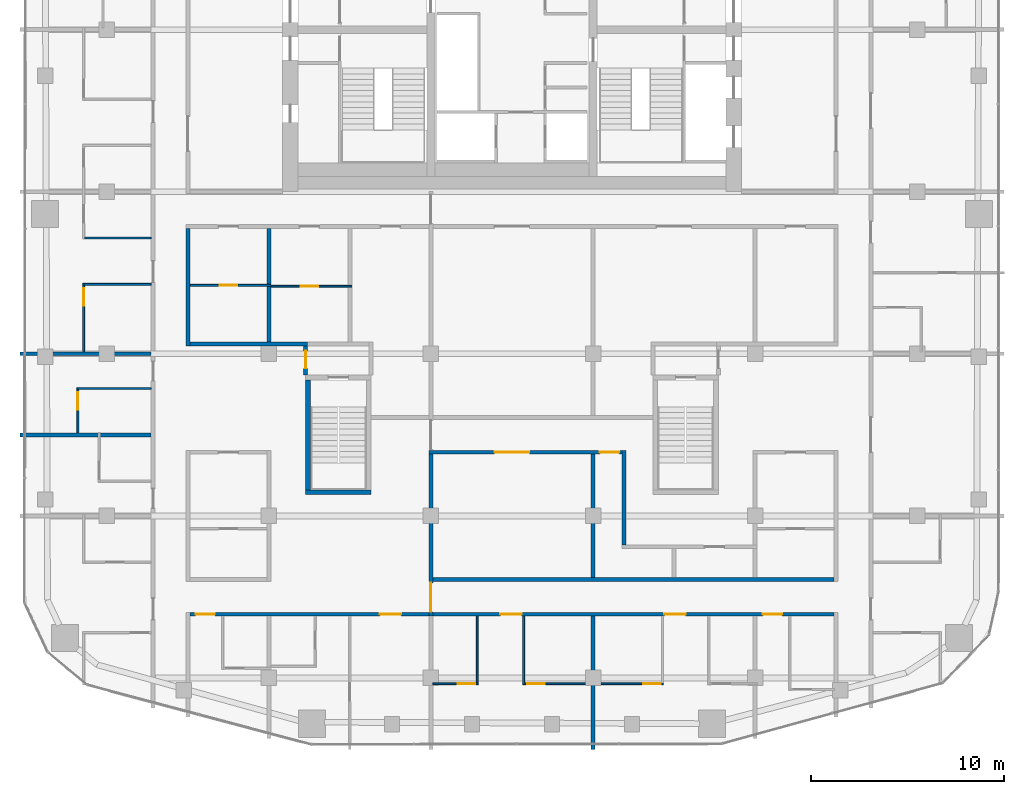
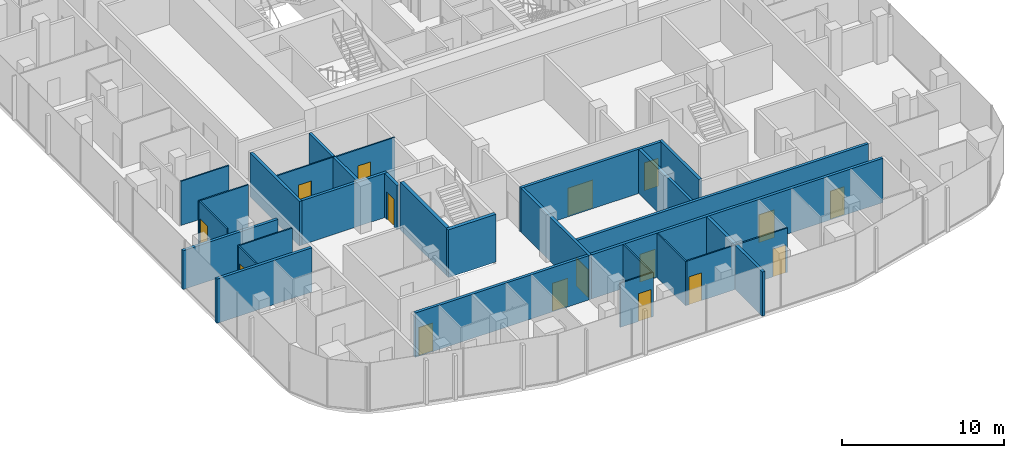
# One storey, part 14 of 21: 26 walls, 16 doors, 16 openings.
"""IFC4 building model written with IfcOpenShell, lengths in metres."""

import ifcopenshell
import ifcopenshell.guid

model = None  # the IFC model being written
_history = None  # IfcOwnerHistory: only IFC2X3 demands one
_inside = {}  # id of a spatial element -> (the spatial element, [elements in it])
_under = {}  # id of a project, library or spatial element -> (it, [spatial elements below it])
_declared = {}  # id of a project -> (the project, [libraries it declares])
_typed = {}  # id of a type object -> (the type object, [elements of that type])
_made_of = {}  # id of a material, layer set ... -> (it, [elements and type objects made of it])


def new_model(schema):
    """Start an empty IFC model of exactly this schema.

    Asked for "IFC4X3", IfcOpenShell would pick the latest addendum, in which some entities
    have other attributes; the version numbers below select the first issue.
    IFC2X3 requires an IfcOwnerHistory on every rooted entity: one is made here for all.
    """
    global model, _history
    if schema == "IFC4X3":
        model = ifcopenshell.file(schema_version=(4, 3, 0, 0))
    else:
        model = ifcopenshell.file(schema=schema)
    _inside.clear()
    _under.clear()
    _declared.clear()
    _typed.clear()
    _made_of.clear()
    _history = None
    if model.schema == "IFC2X3":
        org = make("IfcOrganization", Name="unknown")
        user = make(
            "IfcPersonAndOrganization",
            ThePerson=make("IfcPerson", FamilyName="unknown"),
            TheOrganization=org,
        )
        app = make(
            "IfcApplication",
            ApplicationDeveloper=org,
            Version="unknown",
            ApplicationFullName="unknown",
            ApplicationIdentifier="unknown",
        )
        _history = make(
            "IfcOwnerHistory",
            OwningUser=user,
            OwningApplication=app,
            ChangeAction="ADDED",
            CreationDate=0,
        )
    return model


def make(cls, **values):
    """One entity of the class cls with the attributes given. An attribute that is None is left unset."""
    return model.create_entity(
        cls, **{name: value for name, value in values.items() if value is not None}
    )


def rooted(cls, **values):
    """An entity with a GlobalId (a new one), such as an element, a storey or a relation."""
    return make(cls, GlobalId=ifcopenshell.guid.new(), OwnerHistory=_history, **values)


def si_unit(unit_type, name, prefix=None):
    """IfcSIUnit, for example si_unit("LENGTHUNIT", "METRE", prefix="MILLI")."""
    return make("IfcSIUnit", UnitType=unit_type, Prefix=prefix, Name=name)


def assignment(units):
    """IfcUnitAssignment: the units of a project."""
    return None if units is None else make("IfcUnitAssignment", Units=units)


def point(xyz):
    """IfcCartesianPoint."""
    return None if xyz is None else make("IfcCartesianPoint", Coordinates=xyz)


def direction(xyz):
    """IfcDirection."""
    return None if xyz is None else make("IfcDirection", DirectionRatios=xyz)


def frame(location, z_axis=None, x_axis=None):
    """IfcAxis2Placement3D, a coordinate frame: its origin and axes. An axis left out is left unset."""
    return make(
        "IfcAxis2Placement3D",
        Location=point(location),
        Axis=direction(z_axis),
        RefDirection=direction(x_axis),
    )


def frame_2d(location, x_axis=None):
    """IfcAxis2Placement2D, a coordinate frame in the plane: its origin and x axis."""
    return make(
        "IfcAxis2Placement2D", Location=point(location), RefDirection=direction(x_axis)
    )


def origin():
    """The frame at (0, 0, 0) with its axes left unset."""
    return frame((0.0, 0.0, 0.0))


def place(relative_to, where):
    """IfcLocalPlacement: puts the frame where relative to a parent placement (None: the world)."""
    return make(
        "IfcLocalPlacement", PlacementRelTo=relative_to, RelativePlacement=where
    )


def context(
    kind, dimensions, precision=None, world=None, true_north=None, identifier=None
):
    """IfcGeometricRepresentationContext, for example the 3D "Model" context."""
    return make(
        "IfcGeometricRepresentationContext",
        ContextIdentifier=identifier,
        ContextType=kind,
        CoordinateSpaceDimension=dimensions,
        Precision=precision,
        WorldCoordinateSystem=world,
        TrueNorth=true_north,
    )


def subcontext(parent, identifier, kind, view, scale=None):
    """IfcGeometricRepresentationSubContext, for example "Body" below "Model"."""
    return make(
        "IfcGeometricRepresentationSubContext",
        ContextIdentifier=identifier,
        ContextType=kind,
        ParentContext=parent,
        TargetScale=scale,
        TargetView=view,
    )


def project(units=None, contexts=None):
    """IfcProject with its units and contexts."""
    return rooted(
        "IfcProject",
        Name="project",
        RepresentationContexts=contexts,
        UnitsInContext=assignment(units),
    )


def spatial(cls, under=None, at=None, **own):
    """A site, building, storey or space (cls), placed at a placement, below another one or the project."""
    s = rooted(cls, ObjectPlacement=at, **own)
    if under is not None:
        _under.setdefault(under.id(), (under, []))[1].append(s)
    return s


def profile(cls, at=None, kind="AREA", **sizes):
    """A parametric profile (cls). Its sizes go by their IFC names, for example OverallWidth=200.0."""
    return make(cls, ProfileType=kind, Position=at, **sizes)


def rectangle(**sizes):
    """IfcRectangleProfileDef."""
    return profile("IfcRectangleProfileDef", **sizes)


def extrude(swept, where, along, depth):
    """IfcExtrudedAreaSolid: the profile swept, set in the frame where, extruded along a direction by depth."""
    return make(
        "IfcExtrudedAreaSolid",
        SweptArea=swept,
        Position=where,
        ExtrudedDirection=direction(along),
        Depth=depth,
    )


def shape(context_of_items, identifier, shape_type, items):
    """IfcShapeRepresentation: the items that make up one representation, for example the "Body"."""
    return make(
        "IfcShapeRepresentation",
        ContextOfItems=context_of_items,
        RepresentationIdentifier=identifier,
        RepresentationType=shape_type,
        Items=items,
    )


def material(Name=None, Category=None):
    """IfcMaterial."""
    return make("IfcMaterial", Name=Name, Category=Category)


def layer(
    of_material, thickness, ventilated=None, Name=None, Category=None, Priority=None
):
    """IfcMaterialLayer: one layer of a wall or slab, of a material (None: an air gap)."""
    return make(
        "IfcMaterialLayer",
        Material=of_material,
        LayerThickness=thickness,
        IsVentilated=ventilated,
        Name=Name,
        Category=Category,
        Priority=Priority,
    )


def layer_set(layers, Name=None):
    """IfcMaterialLayerSet."""
    return make("IfcMaterialLayerSet", MaterialLayers=layers, LayerSetName=Name)


def made_of(thing, what):
    """Note that an element or type object is made of a material, layer set ...; save() writes the relation."""
    if what is not None:
        _made_of.setdefault(what.id(), (what, []))[1].append(thing)
    return thing


def type_object(cls, material=None, **own):
    """A type object (cls), such as IfcWallType, which elements share."""
    return made_of(rooted(cls, **own), material)


def element(
    cls,
    number,
    at=None,
    inside=None,
    cuts=None,
    type_object=None,
    material=None,
    context=None,
    identifier="Body",
    shape_type=None,
    held_by="IfcProductDefinitionShape",
    body=None,
    shapes=None,
    **own,
):
    """One element of the class cls, such as IfcWall. Its Tag is "e" and its number.

    at: its placement. inside: the storey or other place that contains it. cuts: it is an
    opening in that element (IfcRelVoidsElement). A single representation is given by context,
    identifier, shape_type and body (its items); several are given by shapes. held_by: the class
    of the entity that holds the representations. save() writes the other relations.
    """
    e = rooted(cls, Tag="e%d" % number, ObjectPlacement=at, **own)
    if body is not None:
        shapes = [shape(context, identifier, shape_type, body)]
    if shapes is not None:
        e.Representation = make(held_by, Representations=shapes)
    if inside is not None:
        _inside.setdefault(inside.id(), (inside, []))[1].append(e)
    if cuts is not None:
        rooted(
            "IfcRelVoidsElement", RelatingBuildingElement=cuts, RelatedOpeningElement=e
        )
    if type_object is not None:
        _typed.setdefault(type_object.id(), (type_object, []))[1].append(e)
    return made_of(e, material)


def fill(opening, filler):
    """IfcRelFillsElement: the door or window that sits in an opening."""
    return rooted(
        "IfcRelFillsElement",
        RelatingOpeningElement=opening,
        RelatedBuildingElement=filler,
    )


def aggregate(whole, parts):
    """IfcRelAggregates: a whole, such as a stair, and the parts it consists of."""
    return rooted("IfcRelAggregates", RelatingObject=whole, RelatedObjects=parts)


def save(model, path):
    """Write the relations noted so far, then the file.

    IfcRelAggregates (storeys below a building ...), IfcRelContainedInSpatialStructure (elements
    in a storey), IfcRelDefinesByType, IfcRelAssociatesMaterial and IfcRelDeclares: one each for
    every whole, place, type object, material and project.
    """
    for whole, parts in _under.values():
        aggregate(whole, parts)
    for where, things in _inside.values():
        rooted(
            "IfcRelContainedInSpatialStructure",
            RelatedElements=things,
            RelatingStructure=where,
        )
    for kind, things in _typed.values():
        rooted("IfcRelDefinesByType", RelatedObjects=things, RelatingType=kind)
    for what, things in _made_of.values():
        rooted("IfcRelAssociatesMaterial", RelatedObjects=things, RelatingMaterial=what)
    for by, libraries in _declared.values():
        rooted("IfcRelDeclares", RelatingContext=by, RelatedDefinitions=libraries)
    model.write(path)


model = new_model("IFC4")

# Units and contexts
model_context = context("Model", 3, precision=1e-05, world=origin(), true_north=direction((0.0, 1.0)))
body_context = subcontext(model_context, "Body", "Model", "MODEL_VIEW")
ifc_project = project(units=[si_unit("LENGTHUNIT", "METRE"), si_unit("AREAUNIT", "SQUARE_METRE"), si_unit("VOLUMEUNIT", "CUBIC_METRE"), si_unit("PLANEANGLEUNIT", "RADIAN"), si_unit("MASSUNIT", "GRAM", prefix="KILO")], contexts=[model_context])

# Site, building, storey
site_placement = place(None, origin())
site = spatial("IfcSite", under=ifc_project, at=site_placement, CompositionType="ELEMENT")
building_placement = place(site_placement, origin())
building = spatial("IfcBuilding", under=site, at=building_placement, Name="Marenta Gate Hotel Tower", CompositionType="ELEMENT")
storey_placement = place(building_placement, frame((0.0, 0.0, 202.10009765625)))
storey = spatial("IfcBuildingStorey", under=building, at=storey_placement, Name="L46", CompositionType="ELEMENT", Elevation=202.10009765625)

# Wall, opening, door
ifc_material_1 = material(Name="Concrete blockwork", Category="masonry")
ifc_layer_1 = layer(ifc_material_1, 0.199951171875)
ifc_layer_set_1 = layer_set([ifc_layer_1], Name="Concrete blockwork")
wall_type_1 = type_object("IfcWallType", Name="Compartment wall 200 REI 180", PredefinedType="PARTITIONING", material=ifc_layer_set_1)
wall_1_placement = place(storey_placement, frame((-4.199951171875, -22.0, 0.0), z_axis=(0.0, 0.0, 1.0), x_axis=(0.0, 1.0, 0.0)))
wall_1 = element("IfcWall", 1, at=wall_1_placement, inside=storey, type_object=wall_type_1, Name="L46-PTN-W073", PredefinedType="PARTITIONING", context=body_context, shape_type="SweptSolid", body=[
    extrude(rectangle(XDim=8.39990234375, YDim=0.199951171875, at=frame_2d((4.199951171875, 0.0))), origin(), (0.0, 0.0, 1.0), 3.33984375),
])
opening_1_placement = place(wall_1_placement, frame((0.22509765625, 0.0, 0.0)))
opening_1 = element("IfcOpeningElement", 2, at=opening_1_placement, cuts=wall_1, Name="Opening G16-FD4", PredefinedType="OPENING", context=body_context, shape_type="SweptSolid", body=[
    extrude(rectangle(XDim=1.5, YDim=2.10009765625, at=frame_2d((0.75, 1.050048828125))), frame((0.0, 0.10009765625, 0.0), z_axis=(0.0, -1.0, 0.0), x_axis=(1.0, 0.0, 0.0)), (0.0, 0.0, 1.0), 0.199951171875),
])
ifc_material_2 = material(Name="Hollow steel door set", Category="steel")
door_type_1 = type_object("IfcDoorType", Name="Compartment fire door 1500x2100 EI 60", OperationType="DOUBLE_DOOR_DOUBLE_SWING", PredefinedType="DOOR", material=ifc_material_2)
door_1_placement = place(opening_1_placement, origin())
door_1 = element("IfcDoor", 3, at=door_1_placement, inside=storey, type_object=door_type_1, Name="L46-PD-FD04", OperationType="DOUBLE_DOOR_DOUBLE_SWING", OverallHeight=2.10009765625, OverallWidth=1.5, PredefinedType="DOOR", context=body_context, shape_type="SweptSolid", body=[
    extrude(rectangle(XDim=1.5, YDim=2.10009765625, at=frame_2d((0.75, 1.050048828125))), frame((0.0, 0.02490234375, 0.0), z_axis=(0.0, -1.0, 0.0), x_axis=(1.0, 0.0, 0.0)), (0.0, 0.0, 1.0), 0.050048828125),
])
fill(opening_1, door_1)

# Walls
ifc_material_3 = material(Name="Concrete C40", Category="concrete")
ifc_layer_2 = layer(ifc_material_3, 0.25)
ifc_layer_set_2 = layer_set([ifc_layer_2], Name="Concrete C40")
wall_type_2 = type_object("IfcWallType", Name="Remote stair enclosure wall 250 REI 180", PredefinedType="SHEAR", material=ifc_layer_set_2)
wall_2_placement = place(storey_placement, frame((-10.699951171875, -15.574951171875, 0.099853515625), z_axis=(0.0, 0.0, 1.0), x_axis=(1.0, 0.0, 0.0)))
element("IfcWall", 4, at=wall_2_placement, inside=storey, type_object=wall_type_2, Name="L46-RS-Z3-1-W1", PredefinedType="SHEAR", context=body_context, shape_type="SweptSolid", body=[
    extrude(rectangle(XDim=3.39990234375, YDim=0.25, at=frame_2d((1.699951171875, 0.0))), origin(), (0.0, 0.0, 1.0), 3.60009765625),
])
wall_3_placement = place(storey_placement, frame((-10.574951171875, -15.449951171875, 0.099853515625), z_axis=(0.0, 0.0, 1.0), x_axis=(0.0, 1.0, 0.0)))
element("IfcWall", 5, at=wall_3_placement, inside=storey, type_object=wall_type_2, Name="L46-RS-Z3-1-W3", PredefinedType="SHEAR", context=body_context, shape_type="SweptSolid", body=[
    extrude(rectangle(XDim=5.699951171875, YDim=0.25, at=frame_2d((2.85009765625, 0.0))), origin(), (0.0, 0.0, 1.0), 3.60009765625),
])
ifc_material_4 = material(Name="Concrete blockwork", Category="masonry")
ifc_layer_3 = layer(ifc_material_4, 0.199951171875)
ifc_layer_set_3 = layer_set([ifc_layer_3], Name="Concrete blockwork")
wall_type_3 = type_object("IfcWallType", Name="Room corridor wall 200 EI 120", PredefinedType="PARTITIONING", material=ifc_layer_set_3)
wall_4_placement = place(storey_placement, frame((-4.10009765625, -20.10009765625, 0.0), z_axis=(0.0, 0.0, 1.0), x_axis=(1.0, 0.0, 0.0)))
element("IfcWall", 6, at=wall_4_placement, inside=storey, type_object=wall_type_3, Name="L46-PTN-W016", PredefinedType="PARTITIONING", context=body_context, shape_type="SweptSolid", body=[
    extrude(rectangle(XDim=20.800048828125, YDim=0.199951171875, at=frame_2d((10.39990234375, 0.0))), origin(), (0.0, 0.0, 1.0), 3.33984375),
])
wall_5_placement = place(storey_placement, frame((-16.699951171875, -7.89990234375, 0.0), z_axis=(0.0, 0.0, 1.0), x_axis=(1.0, 0.0, 0.0)))
element("IfcWall", 7, at=wall_5_placement, inside=storey, type_object=wall_type_3, Name="L46-PTN-W047", PredefinedType="PARTITIONING", context=body_context, shape_type="SweptSolid", body=[
    extrude(rectangle(XDim=6.099853515625, YDim=0.199951171875, at=frame_2d((3.0498046875, 0.0))), origin(), (0.0, 0.0, 1.0), 3.33984375),
])

# Wall, openings, doors
ifc_material_5 = material(Name="Gypsum board on steel stud", Category="steel")
ifc_layer_4 = layer(ifc_material_5, 0.199951171875)
ifc_layer_set_4 = layer_set([ifc_layer_4], Name="Gypsum board on steel stud")
wall_type_4 = type_object("IfcWallType", Name="Room corridor wall 200 EI 60", PredefinedType="PARTITIONING", material=ifc_layer_set_4)
wall_6_placement = place(storey_placement, frame((-16.699951171875, -21.89990234375, 0.0), z_axis=(0.0, 0.0, 1.0), x_axis=(1.0, 0.0, 0.0)))
wall_6 = element("IfcWall", 8, at=wall_6_placement, inside=storey, type_object=wall_type_4, Name="L46-PTN-W013", PredefinedType="PARTITIONING", context=body_context, shape_type="SweptSolid", body=[
    extrude(rectangle(XDim=33.39990234375, YDim=0.199951171875, at=frame_2d((16.699951171875, 0.0))), origin(), (0.0, 0.0, 1.0), 3.33984375),
])
opening_2_placement = place(wall_6_placement, frame((0.300048828125, 0.0, 0.0)))
opening_2 = element("IfcOpeningElement", 9, at=opening_2_placement, cuts=wall_6, Name="Opening G16-33", PredefinedType="OPENING", context=body_context, shape_type="SweptSolid", body=[
    extrude(rectangle(XDim=1.0, YDim=2.10009765625, at=frame_2d((0.5, 1.050048828125))), frame((0.0, 0.10009765625, 0.0), z_axis=(0.0, -1.0, 0.0), x_axis=(1.0, 0.0, 0.0)), (0.0, 0.0, 1.0), 0.199951171875),
])
opening_3_placement = place(wall_6_placement, frame((9.85009765625, 0.0, 0.0)))
opening_3 = element("IfcOpeningElement", 10, at=opening_3_placement, cuts=wall_6, Name="Opening G16-35", PredefinedType="OPENING", context=body_context, shape_type="SweptSolid", body=[
    extrude(rectangle(XDim=1.10009765625, YDim=2.10009765625, at=frame_2d((0.550048828125, 1.050048828125))), frame((0.0, 0.10009765625, 0.0), z_axis=(0.0, -1.0, 0.0), x_axis=(1.0, 0.0, 0.0)), (0.0, 0.0, 1.0), 0.199951171875),
])
opening_4_placement = place(wall_6_placement, frame((16.10009765625, 0.0, 0.0)))
opening_4 = element("IfcOpeningElement", 11, at=opening_4_placement, cuts=wall_6, Name="Opening G16-38", PredefinedType="OPENING", context=body_context, shape_type="SweptSolid", body=[
    extrude(rectangle(XDim=1.10009765625, YDim=2.10009765625, at=frame_2d((0.550048828125, 1.050048828125))), frame((0.0, 0.10009765625, 0.0), z_axis=(0.0, -1.0, 0.0), x_axis=(1.0, 0.0, 0.0)), (0.0, 0.0, 1.0), 0.199951171875),
])
opening_5_placement = place(wall_6_placement, frame((24.60009765625, 0.0, 0.0)))
opening_5 = element("IfcOpeningElement", 12, at=opening_5_placement, cuts=wall_6, Name="Opening G16-41", PredefinedType="OPENING", context=body_context, shape_type="SweptSolid", body=[
    extrude(rectangle(XDim=1.10009765625, YDim=2.10009765625, at=frame_2d((0.550048828125, 1.050048828125))), frame((0.0, 0.10009765625, 0.0), z_axis=(0.0, -1.0, 0.0), x_axis=(1.0, 0.0, 0.0)), (0.0, 0.0, 1.0), 0.199951171875),
])
opening_6_placement = place(wall_6_placement, frame((29.699951171875, 0.0, 0.0)))
opening_6 = element("IfcOpeningElement", 13, at=opening_6_placement, cuts=wall_6, Name="Opening G16-44", PredefinedType="OPENING", context=body_context, shape_type="SweptSolid", body=[
    extrude(rectangle(XDim=1.0, YDim=2.10009765625, at=frame_2d((0.5, 1.050048828125))), frame((0.0, 0.10009765625, 0.0), z_axis=(0.0, -1.0, 0.0), x_axis=(1.0, 0.0, 0.0)), (0.0, 0.0, 1.0), 0.199951171875),
])
ifc_material_6 = material(Name="Timber door leaf", Category="wood")
door_type_2 = type_object("IfcDoorType", Name="Guest room door 1000x2100 EI 30", OperationType="NOTDEFINED", PredefinedType="DOOR", material=ifc_material_6)
door_2_placement = place(opening_2_placement, origin())
door_2 = element("IfcDoor", 14, at=door_2_placement, inside=storey, type_object=door_type_2, Name="L46-PD-D033", OperationType="SINGLE_SWING_RIGHT", OverallHeight=2.10009765625, OverallWidth=1.0, PredefinedType="DOOR", context=body_context, shape_type="SweptSolid", body=[
    extrude(rectangle(XDim=1.0, YDim=2.10009765625, at=frame_2d((0.5, 1.050048828125))), frame((0.0, 0.02490234375, 0.0), z_axis=(0.0, -1.0, 0.0), x_axis=(1.0, 0.0, 0.0)), (0.0, 0.0, 1.0), 0.050048828125),
])
fill(opening_2, door_2)
door_3_placement = place(opening_6_placement, origin())
door_3 = element("IfcDoor", 15, at=door_3_placement, inside=storey, type_object=door_type_2, Name="L46-PD-D044", OperationType="SINGLE_SWING_RIGHT", OverallHeight=2.10009765625, OverallWidth=1.0, PredefinedType="DOOR", context=body_context, shape_type="SweptSolid", body=[
    extrude(rectangle(XDim=1.0, YDim=2.10009765625, at=frame_2d((0.5, 1.050048828125))), frame((0.0, 0.02490234375, 0.0), z_axis=(0.0, -1.0, 0.0), x_axis=(1.0, 0.0, 0.0)), (0.0, 0.0, 1.0), 0.050048828125),
])
fill(opening_6, door_3)
ifc_material_7 = material(Name="Timber door leaf", Category="wood")
door_type_3 = type_object("IfcDoorType", Name="Guest room door 1100x2100 EI 30", OperationType="NOTDEFINED", PredefinedType="DOOR", material=ifc_material_7)
door_4_placement = place(opening_3_placement, origin())
door_4 = element("IfcDoor", 16, at=door_4_placement, inside=storey, type_object=door_type_3, Name="L46-PD-D035", OperationType="SINGLE_SWING_LEFT", OverallHeight=2.10009765625, OverallWidth=1.10009765625, PredefinedType="DOOR", context=body_context, shape_type="SweptSolid", body=[
    extrude(rectangle(XDim=1.10009765625, YDim=2.10009765625, at=frame_2d((0.550048828125, 1.050048828125))), frame((0.0, 0.02490234375, 0.0), z_axis=(0.0, -1.0, 0.0), x_axis=(1.0, 0.0, 0.0)), (0.0, 0.0, 1.0), 0.050048828125),
])
fill(opening_3, door_4)
door_5_placement = place(opening_4_placement, origin())
door_5 = element("IfcDoor", 17, at=door_5_placement, inside=storey, type_object=door_type_3, Name="L46-PD-D038", OperationType="SINGLE_SWING_LEFT", OverallHeight=2.10009765625, OverallWidth=1.10009765625, PredefinedType="DOOR", context=body_context, shape_type="SweptSolid", body=[
    extrude(rectangle(XDim=1.10009765625, YDim=2.10009765625, at=frame_2d((0.550048828125, 1.050048828125))), frame((0.0, 0.02490234375, 0.0), z_axis=(0.0, -1.0, 0.0), x_axis=(1.0, 0.0, 0.0)), (0.0, 0.0, 1.0), 0.050048828125),
])
fill(opening_4, door_5)
door_6_placement = place(opening_5_placement, origin())
door_6 = element("IfcDoor", 18, at=door_6_placement, inside=storey, type_object=door_type_3, Name="L46-PD-D041", OperationType="SINGLE_SWING_RIGHT", OverallHeight=2.10009765625, OverallWidth=1.10009765625, PredefinedType="DOOR", context=body_context, shape_type="SweptSolid", body=[
    extrude(rectangle(XDim=1.10009765625, YDim=2.10009765625, at=frame_2d((0.550048828125, 1.050048828125))), frame((0.0, 0.02490234375, 0.0), z_axis=(0.0, -1.0, 0.0), x_axis=(1.0, 0.0, 0.0)), (0.0, 0.0, 1.0), 0.050048828125),
])
fill(opening_5, door_6)

wall_7_placement = place(storey_placement, frame((-4.300048828125, -13.5, 0.0), z_axis=(0.0, 0.0, 1.0), x_axis=(1.0, 0.0, 0.0)))
wall_7 = element("IfcWall", 19, at=wall_7_placement, inside=storey, type_object=wall_type_4, Name="L46-PTN-W032", PredefinedType="PARTITIONING", context=body_context, shape_type="SweptSolid", body=[
    extrude(rectangle(XDim=10.0, YDim=0.199951171875, at=frame_2d((5.0, 0.0))), origin(), (0.0, 0.0, 1.0), 3.33984375),
])
opening_7_placement = place(wall_7_placement, frame((3.39990234375, 0.0, 0.0)))
opening_7 = element("IfcOpeningElement", 20, at=opening_7_placement, cuts=wall_7, Name="Opening G16-11", PredefinedType="OPENING", context=body_context, shape_type="SweptSolid", body=[
    extrude(rectangle(XDim=1.800048828125, YDim=2.10009765625, at=frame_2d((0.89990234375, 1.050048828125))), frame((0.0, 0.10009765625, 0.0), z_axis=(0.0, -1.0, 0.0), x_axis=(1.0, 0.0, 0.0)), (0.0, 0.0, 1.0), 0.199951171875),
])
opening_8_placement = place(wall_7_placement, frame((8.85009765625, 0.0, 0.0)))
opening_8 = element("IfcOpeningElement", 21, at=opening_8_placement, cuts=wall_7, Name="Opening G16-12", PredefinedType="OPENING", context=body_context, shape_type="SweptSolid", body=[
    extrude(rectangle(XDim=1.0, YDim=2.10009765625, at=frame_2d((0.5, 1.050048828125))), frame((0.0, 0.10009765625, 0.0), z_axis=(0.0, -1.0, 0.0), x_axis=(1.0, 0.0, 0.0)), (0.0, 0.0, 1.0), 0.199951171875),
])
ifc_material_8 = material(Name="Timber door leaf", Category="wood")
door_type_4 = type_object("IfcDoorType", Name="Room amenity door 1000x2100 EI 30", OperationType="NOTDEFINED", PredefinedType="DOOR", material=ifc_material_8)
door_7_placement = place(opening_8_placement, origin())
door_7 = element("IfcDoor", 22, at=door_7_placement, inside=storey, type_object=door_type_4, Name="L46-PD-D012", OperationType="SINGLE_SWING_LEFT", OverallHeight=2.10009765625, OverallWidth=1.0, PredefinedType="DOOR", context=body_context, shape_type="SweptSolid", body=[
    extrude(rectangle(XDim=1.0, YDim=2.10009765625, at=frame_2d((0.5, 1.050048828125))), frame((0.0, 0.02490234375, 0.0), z_axis=(0.0, -1.0, 0.0), x_axis=(1.0, 0.0, 0.0)), (0.0, 0.0, 1.0), 0.050048828125),
])
fill(opening_8, door_7)
ifc_material_9 = material(Name="Timber door leaf", Category="wood")
door_type_5 = type_object("IfcDoorType", Name="Room amenity door 1800x2100 EI 30", OperationType="DOUBLE_DOOR_SINGLE_SWING", PredefinedType="DOOR", material=ifc_material_9)
door_8_placement = place(opening_7_placement, origin())
door_8 = element("IfcDoor", 23, at=door_8_placement, inside=storey, type_object=door_type_5, Name="L46-PD-D011", OperationType="DOUBLE_DOOR_SINGLE_SWING", OverallHeight=2.10009765625, OverallWidth=1.800048828125, PredefinedType="DOOR", context=body_context, shape_type="SweptSolid", body=[
    extrude(rectangle(XDim=1.800048828125, YDim=2.10009765625, at=frame_2d((0.89990234375, 1.050048828125))), frame((0.0, 0.02490234375, 0.0), z_axis=(0.0, -1.0, 0.0), x_axis=(1.0, 0.0, 0.0)), (0.0, 0.0, 1.0), 0.050048828125),
])
fill(opening_7, door_8)

# Walls
wall_8_placement = place(storey_placement, frame((5.800048828125, -18.300048828125, 0.0), z_axis=(0.0, 0.0, 1.0), x_axis=(0.0, 1.0, 0.0)))
element("IfcWall", 24, at=wall_8_placement, inside=storey, type_object=wall_type_4, Name="L46-PTN-W054", PredefinedType="PARTITIONING", context=body_context, shape_type="SweptSolid", body=[
    extrude(rectangle(XDim=4.900146484375, YDim=0.199951171875, at=frame_2d((2.4501953125, 0.0))), origin(), (0.0, 0.0, 1.0), 3.33984375),
])
wall_9_placement = place(storey_placement, frame((-16.800048828125, -8.0, 0.0), z_axis=(0.0, 0.0, 1.0), x_axis=(0.0, 1.0, 0.0)))
element("IfcWall", 25, at=wall_9_placement, inside=storey, type_object=wall_type_4, Name="L46-PTN-W095", PredefinedType="PARTITIONING", context=body_context, shape_type="SweptSolid", body=[
    extrude(rectangle(XDim=6.10009765625, YDim=0.199951171875, at=frame_2d((3.050048828125, 0.0))), origin(), (0.0, 0.0, 1.0), 3.33984375),
])

# Wall, opening, door
ifc_material_10 = material(Name="Concrete blockwork", Category="masonry")
ifc_layer_5 = layer(ifc_material_10, 0.199951171875)
ifc_layer_set_5 = layer_set([ifc_layer_5], Name="Concrete blockwork")
wall_type_5 = type_object("IfcWallType", Name="Room corridor wall 200 REI 180", PredefinedType="PARTITIONING", material=ifc_layer_set_5)
wall_10_placement = place(storey_placement, frame((-10.699951171875, -9.5, 0.0), z_axis=(0.0, 0.0, 1.0), x_axis=(0.0, 1.0, 0.0)))
wall_10 = element("IfcWall", 26, at=wall_10_placement, inside=storey, type_object=wall_type_5, Name="L46-PTN-W082", PredefinedType="PARTITIONING", context=body_context, shape_type="SweptSolid", body=[
    extrude(rectangle(XDim=1.5, YDim=0.199951171875, at=frame_2d((0.75, 0.0))), origin(), (0.0, 0.0, 1.0), 3.33984375),
])
opening_9_placement = place(wall_10_placement, frame((0.35009765625, 0.0, 0.0)))
opening_9 = element("IfcOpeningElement", 27, at=opening_9_placement, cuts=wall_10, Name="Opening G16-64", PredefinedType="OPENING", context=body_context, shape_type="SweptSolid", body=[
    extrude(rectangle(XDim=0.89990234375, YDim=2.10009765625, at=frame_2d((0.449951171875, 1.050048828125))), frame((0.0, 0.10009765625, 0.0), z_axis=(0.0, -1.0, 0.0), x_axis=(1.0, 0.0, 0.0)), (0.0, 0.0, 1.0), 0.199951171875),
])
ifc_material_11 = material(Name="Hollow steel door set", Category="steel")
door_type_6 = type_object("IfcDoorType", Name="Stair vestibule door 900x2100 EI 60", OperationType="NOTDEFINED", PredefinedType="DOOR", material=ifc_material_11)
door_9_placement = place(opening_9_placement, origin())
door_9 = element("IfcDoor", 28, at=door_9_placement, inside=storey, type_object=door_type_6, Name="L46-PD-D064", OperationType="SINGLE_SWING_LEFT", OverallHeight=2.10009765625, OverallWidth=0.89990234375, PredefinedType="DOOR", context=body_context, shape_type="SweptSolid", body=[
    extrude(rectangle(XDim=0.89990234375, YDim=2.10009765625, at=frame_2d((0.449951171875, 1.050048828125))), frame((0.0, 0.02490234375, 0.0), z_axis=(0.0, -1.0, 0.0), x_axis=(1.0, 0.0, 0.0)), (0.0, 0.0, 1.0), 0.050048828125),
])
fill(opening_9, door_9)

ifc_material_12 = material(Name="Gypsum board on steel stud", Category="steel")
ifc_layer_6 = layer(ifc_material_12, 0.10009765625)
ifc_layer_set_6 = layer_set([ifc_layer_6], Name="Gypsum board on steel stud")
wall_type_6 = type_object("IfcWallType", Name="Room partition 100", PredefinedType="PARTITIONING", material=ifc_layer_set_6)
wall_11_placement = place(storey_placement, frame((-4.10009765625, -25.5, 0.0), z_axis=(0.0, 0.0, 1.0), x_axis=(1.0, 0.0, 0.0)))
wall_11 = element("IfcWall", 29, at=wall_11_placement, inside=storey, type_object=wall_type_6, Name="L46-PTN-W002", PredefinedType="PARTITIONING", context=body_context, shape_type="SweptSolid", body=[
    extrude(rectangle(XDim=2.35009765625, YDim=0.10009765625, at=frame_2d((1.175048828125, 0.0))), origin(), (0.0, 0.0, 1.0), 3.33984375),
])
opening_10_placement = place(wall_11_placement, frame((1.300048828125, 0.0, 0.0)))
opening_10 = element("IfcOpeningElement", 30, at=opening_10_placement, cuts=wall_11, Name="Opening G16-40", PredefinedType="OPENING", context=body_context, shape_type="SweptSolid", body=[
    extrude(rectangle(XDim=0.89990234375, YDim=2.10009765625, at=frame_2d((0.449951171875, 1.050048828125))), frame((0.0, 0.050048828125, 0.0), z_axis=(0.0, -1.0, 0.0), x_axis=(1.0, 0.0, 0.0)), (0.0, 0.0, 1.0), 0.10009765625),
])
ifc_material_13 = material(Name="Timber door leaf", Category="wood")
door_type_7 = type_object("IfcDoorType", Name="Room inner door 900x2100", OperationType="NOTDEFINED", PredefinedType="DOOR", material=ifc_material_13)
door_10_placement = place(opening_10_placement, origin())
door_10 = element("IfcDoor", 31, at=door_10_placement, inside=storey, type_object=door_type_7, Name="L46-PD-D040", OperationType="SINGLE_SWING_RIGHT", OverallHeight=2.10009765625, OverallWidth=0.89990234375, PredefinedType="DOOR", context=body_context, shape_type="SweptSolid", body=[
    extrude(rectangle(XDim=0.89990234375, YDim=2.10009765625, at=frame_2d((0.449951171875, 1.050048828125))), frame((0.0, 0.02490234375, 0.0), z_axis=(0.0, -1.0, 0.0), x_axis=(1.0, 0.0, 0.0)), (0.0, 0.0, 1.0), 0.050048828125),
])
fill(opening_10, door_10)

# Wall, openings, doors
wall_12_placement = place(storey_placement, frame((0.64990234375, -25.5, 0.0), z_axis=(0.0, 0.0, 1.0), x_axis=(1.0, 0.0, 0.0)))
wall_12 = element("IfcWall", 32, at=wall_12_placement, inside=storey, type_object=wall_type_6, Name="L46-PTN-W003", PredefinedType="PARTITIONING", context=body_context, shape_type="SweptSolid", body=[
    extrude(rectangle(XDim=7.2001953125, YDim=0.10009765625, at=frame_2d((3.60009765625, 0.0))), origin(), (0.0, 0.0, 1.0), 3.33984375),
])
opening_11_placement = place(wall_12_placement, frame((0.14990234375, 0.0, 0.0)))
opening_11 = element("IfcOpeningElement", 33, at=opening_11_placement, cuts=wall_12, Name="Opening G16-39", PredefinedType="OPENING", context=body_context, shape_type="SweptSolid", body=[
    extrude(rectangle(XDim=0.89990234375, YDim=2.10009765625, at=frame_2d((0.449951171875, 1.050048828125))), frame((0.0, 0.050048828125, 0.0), z_axis=(0.0, -1.0, 0.0), x_axis=(1.0, 0.0, 0.0)), (0.0, 0.0, 1.0), 0.10009765625),
])
opening_12_placement = place(wall_12_placement, frame((6.14990234375, 0.0, 0.0)))
opening_12 = element("IfcOpeningElement", 34, at=opening_12_placement, cuts=wall_12, Name="Opening G16-42", PredefinedType="OPENING", context=body_context, shape_type="SweptSolid", body=[
    extrude(rectangle(XDim=0.89990234375, YDim=2.10009765625, at=frame_2d((0.449951171875, 1.050048828125))), frame((0.0, 0.050048828125, 0.0), z_axis=(0.0, -1.0, 0.0), x_axis=(1.0, 0.0, 0.0)), (0.0, 0.0, 1.0), 0.10009765625),
])
ifc_material_14 = material(Name="Timber door leaf", Category="wood")
door_type_8 = type_object("IfcDoorType", Name="Guest bathroom door 900x2100", OperationType="NOTDEFINED", PredefinedType="DOOR", material=ifc_material_14)
door_11_placement = place(opening_11_placement, origin())
door_11 = element("IfcDoor", 35, at=door_11_placement, inside=storey, type_object=door_type_8, Name="L46-PD-D039", OperationType="SINGLE_SWING_LEFT", OverallHeight=2.10009765625, OverallWidth=0.89990234375, PredefinedType="DOOR", context=body_context, shape_type="SweptSolid", body=[
    extrude(rectangle(XDim=0.89990234375, YDim=2.10009765625, at=frame_2d((0.449951171875, 1.050048828125))), frame((0.0, 0.02490234375, 0.0), z_axis=(0.0, -1.0, 0.0), x_axis=(1.0, 0.0, 0.0)), (0.0, 0.0, 1.0), 0.050048828125),
])
fill(opening_11, door_11)
door_12_placement = place(opening_12_placement, origin())
door_12 = element("IfcDoor", 36, at=door_12_placement, inside=storey, type_object=door_type_8, Name="L46-PD-D042", OperationType="SINGLE_SWING_RIGHT", OverallHeight=2.10009765625, OverallWidth=0.89990234375, PredefinedType="DOOR", context=body_context, shape_type="SweptSolid", body=[
    extrude(rectangle(XDim=0.89990234375, YDim=2.10009765625, at=frame_2d((0.449951171875, 1.050048828125))), frame((0.0, 0.02490234375, 0.0), z_axis=(0.0, -1.0, 0.0), x_axis=(1.0, 0.0, 0.0)), (0.0, 0.0, 1.0), 0.050048828125),
])
fill(opening_12, door_12)

# Wall
wall_13_placement = place(storey_placement, frame((-22.550048828125, -10.199951171875, 0.0), z_axis=(0.0, 0.0, 1.0), x_axis=(1.0, 0.0, 0.0)))
element("IfcWall", 37, at=wall_13_placement, inside=storey, type_object=wall_type_6, Name="L46-PTN-W043", PredefinedType="PARTITIONING", context=body_context, shape_type="SweptSolid", body=[
    extrude(rectangle(XDim=3.85009765625, YDim=0.10009765625, at=frame_2d((1.925048828125, 0.0))), origin(), (0.0, 0.0, 1.0), 3.33984375),
])

# Wall, opening, door
wall_14_placement = place(storey_placement, frame((-12.5, -4.89990234375, 0.0), z_axis=(0.0, 0.0, 1.0), x_axis=(1.0, 0.0, 0.0)))
wall_14 = element("IfcWall", 38, at=wall_14_placement, inside=storey, type_object=wall_type_6, Name="L46-PTN-W055", PredefinedType="PARTITIONING", context=body_context, shape_type="SweptSolid", body=[
    extrude(rectangle(XDim=4.199951171875, YDim=0.10009765625, at=frame_2d((2.10009765625, 0.0))), origin(), (0.0, 0.0, 1.0), 3.33984375),
])
opening_13_placement = place(wall_14_placement, frame((1.550048828125, 0.0, 0.0)))
opening_13 = element("IfcOpeningElement", 39, at=opening_13_placement, cuts=wall_14, Name="Opening G16-04", PredefinedType="OPENING", context=body_context, shape_type="SweptSolid", body=[
    extrude(rectangle(XDim=0.89990234375, YDim=2.10009765625, at=frame_2d((0.449951171875, 1.050048828125))), frame((0.0, 0.050048828125, 0.0), z_axis=(0.0, -1.0, 0.0), x_axis=(1.0, 0.0, 0.0)), (0.0, 0.0, 1.0), 0.10009765625),
])
door_13_placement = place(opening_13_placement, origin())
door_13 = element("IfcDoor", 40, at=door_13_placement, inside=storey, type_object=door_type_7, Name="L46-PD-D004", OperationType="SINGLE_SWING_RIGHT", OverallHeight=2.10009765625, OverallWidth=0.89990234375, PredefinedType="DOOR", context=body_context, shape_type="SweptSolid", body=[
    extrude(rectangle(XDim=0.89990234375, YDim=2.10009765625, at=frame_2d((0.449951171875, 1.050048828125))), frame((0.0, 0.02490234375, 0.0), z_axis=(0.0, -1.0, 0.0), x_axis=(1.0, 0.0, 0.0)), (0.0, 0.0, 1.0), 0.050048828125),
])
fill(opening_13, door_13)

wall_15_placement = place(storey_placement, frame((-16.699951171875, -4.85009765625, 0.0), z_axis=(0.0, 0.0, 1.0), x_axis=(1.0, 0.0, 0.0)))
wall_15 = element("IfcWall", 41, at=wall_15_placement, inside=storey, type_object=wall_type_6, Name="L46-PTN-W056", PredefinedType="PARTITIONING", context=body_context, shape_type="SweptSolid", body=[
    extrude(rectangle(XDim=4.199951171875, YDim=0.10009765625, at=frame_2d((2.10009765625, 0.0))), origin(), (0.0, 0.0, 1.0), 3.33984375),
])
opening_14_placement = place(wall_15_placement, frame((1.550048828125, 0.0, 0.0)))
opening_14 = element("IfcOpeningElement", 42, at=opening_14_placement, cuts=wall_15, Name="Opening G16-02", PredefinedType="OPENING", context=body_context, shape_type="SweptSolid", body=[
    extrude(rectangle(XDim=0.89990234375, YDim=2.10009765625, at=frame_2d((0.449951171875, 1.050048828125))), frame((0.0, 0.050048828125, 0.0), z_axis=(0.0, -1.0, 0.0), x_axis=(1.0, 0.0, 0.0)), (0.0, 0.0, 1.0), 0.10009765625),
])
door_14_placement = place(opening_14_placement, origin())
door_14 = element("IfcDoor", 43, at=door_14_placement, inside=storey, type_object=door_type_7, Name="L46-PD-D002", OperationType="SINGLE_SWING_RIGHT", OverallHeight=2.10009765625, OverallWidth=0.89990234375, PredefinedType="DOOR", context=body_context, shape_type="SweptSolid", body=[
    extrude(rectangle(XDim=0.89990234375, YDim=2.10009765625, at=frame_2d((0.449951171875, 1.050048828125))), frame((0.0, 0.02490234375, 0.0), z_axis=(0.0, -1.0, 0.0), x_axis=(1.0, 0.0, 0.0)), (0.0, 0.0, 1.0), 0.050048828125),
])
fill(opening_14, door_14)

# Walls
wall_16_placement = place(storey_placement, frame((-22.25, -4.800048828125, 0.0), z_axis=(0.0, 0.0, 1.0), x_axis=(1.0, 0.0, 0.0)))
element("IfcWall", 44, at=wall_16_placement, inside=storey, type_object=wall_type_6, Name="L46-PTN-W057", PredefinedType="PARTITIONING", context=body_context, shape_type="SweptSolid", body=[
    extrude(rectangle(XDim=3.550048828125, YDim=0.10009765625, at=frame_2d((1.77490234375, 0.0))), origin(), (0.0, 0.0, 1.0), 3.33984375),
])
wall_17_placement = place(storey_placement, frame((-22.14990234375, -2.39990234375, 0.0), z_axis=(0.0, 0.0, 1.0), x_axis=(1.0, 0.0, 0.0)))
element("IfcWall", 45, at=wall_17_placement, inside=storey, type_object=wall_type_6, Name="L46-PTN-W063", PredefinedType="PARTITIONING", context=body_context, shape_type="SweptSolid", body=[
    extrude(rectangle(XDim=3.449951171875, YDim=0.10009765625, at=frame_2d((1.72509765625, 0.0))), origin(), (0.0, 0.0, 1.0), 3.33984375),
])
wall_18_placement = place(storey_placement, frame((0.60009765625, -25.550048828125, 0.0), z_axis=(0.0, 0.0, 1.0), x_axis=(0.0, 1.0, 0.0)))
element("IfcWall", 46, at=wall_18_placement, inside=storey, type_object=wall_type_6, Name="L46-PTN-W065", PredefinedType="PARTITIONING", context=body_context, shape_type="SweptSolid", body=[
    extrude(rectangle(XDim=3.550048828125, YDim=0.10009765625, at=frame_2d((1.77490234375, 0.0))), origin(), (0.0, 0.0, 1.0), 3.33984375),
])
wall_19_placement = place(storey_placement, frame((-1.800048828125, -25.449951171875, 0.0), z_axis=(0.0, 0.0, 1.0), x_axis=(0.0, 1.0, 0.0)))
element("IfcWall", 47, at=wall_19_placement, inside=storey, type_object=wall_type_6, Name="L46-PTN-W068", PredefinedType="PARTITIONING", context=body_context, shape_type="SweptSolid", body=[
    extrude(rectangle(XDim=3.449951171875, YDim=0.10009765625, at=frame_2d((1.72509765625, 0.0))), origin(), (0.0, 0.0, 1.0), 3.33984375),
])

# Wall, opening, door
wall_20_placement = place(storey_placement, frame((-22.199951171875, -8.300048828125, 0.0), z_axis=(0.0, 0.0, 1.0), x_axis=(0.0, 1.0, 0.0)))
wall_20 = element("IfcWall", 48, at=wall_20_placement, inside=storey, type_object=wall_type_6, Name="L46-PTN-W107", PredefinedType="PARTITIONING", context=body_context, shape_type="SweptSolid", body=[
    extrude(rectangle(XDim=3.449951171875, YDim=0.10009765625, at=frame_2d((1.72509765625, 0.0))), origin(), (0.0, 0.0, 1.0), 3.33984375),
])
opening_15_placement = place(wall_20_placement, frame((2.39990234375, 0.0, 0.0)))
opening_15 = element("IfcOpeningElement", 49, at=opening_15_placement, cuts=wall_20, Name="Opening G16-54", PredefinedType="OPENING", context=body_context, shape_type="SweptSolid", body=[
    extrude(rectangle(XDim=0.89990234375, YDim=2.10009765625, at=frame_2d((0.449951171875, 1.050048828125))), frame((0.0, 0.050048828125, 0.0), z_axis=(0.0, -1.0, 0.0), x_axis=(1.0, 0.0, 0.0)), (0.0, 0.0, 1.0), 0.10009765625),
])
door_15_placement = place(opening_15_placement, origin())
door_15 = element("IfcDoor", 50, at=door_15_placement, inside=storey, type_object=door_type_8, Name="L46-PD-D054", OperationType="SINGLE_SWING_LEFT", OverallHeight=2.10009765625, OverallWidth=0.89990234375, PredefinedType="DOOR", context=body_context, shape_type="SweptSolid", body=[
    extrude(rectangle(XDim=0.89990234375, YDim=2.10009765625, at=frame_2d((0.449951171875, 1.050048828125))), frame((0.0, 0.02490234375, 0.0), z_axis=(0.0, -1.0, 0.0), x_axis=(1.0, 0.0, 0.0)), (0.0, 0.0, 1.0), 0.050048828125),
])
fill(opening_15, door_15)

wall_21_placement = place(storey_placement, frame((-22.5, -12.5, 0.0), z_axis=(0.0, 0.0, 1.0), x_axis=(0.0, 1.0, 0.0)))
wall_21 = element("IfcWall", 51, at=wall_21_placement, inside=storey, type_object=wall_type_6, Name="L46-PTN-W110", PredefinedType="PARTITIONING", context=body_context, shape_type="SweptSolid", body=[
    extrude(rectangle(XDim=2.25, YDim=0.10009765625, at=frame_2d((1.125, 0.0))), origin(), (0.0, 0.0, 1.0), 3.33984375),
])
opening_16_placement = place(wall_21_placement, frame((1.199951171875, 0.0, 0.0)))
opening_16 = element("IfcOpeningElement", 52, at=opening_16_placement, cuts=wall_21, Name="Opening G16-52", PredefinedType="OPENING", context=body_context, shape_type="SweptSolid", body=[
    extrude(rectangle(XDim=0.89990234375, YDim=2.10009765625, at=frame_2d((0.449951171875, 1.050048828125))), frame((0.0, 0.050048828125, 0.0), z_axis=(0.0, -1.0, 0.0), x_axis=(1.0, 0.0, 0.0)), (0.0, 0.0, 1.0), 0.10009765625),
])
door_16_placement = place(opening_16_placement, origin())
door_16 = element("IfcDoor", 53, at=door_16_placement, inside=storey, type_object=door_type_8, Name="L46-PD-D052", OperationType="SINGLE_SWING_LEFT", OverallHeight=2.10009765625, OverallWidth=0.89990234375, PredefinedType="DOOR", context=body_context, shape_type="SweptSolid", body=[
    extrude(rectangle(XDim=0.89990234375, YDim=2.10009765625, at=frame_2d((0.449951171875, 1.050048828125))), frame((0.0, 0.02490234375, 0.0), z_axis=(0.0, -1.0, 0.0), x_axis=(1.0, 0.0, 0.0)), (0.0, 0.0, 1.0), 0.050048828125),
])
fill(opening_16, door_16)

# Walls
ifc_material_15 = material(Name="Concrete blockwork", Category="masonry")
ifc_layer_7 = layer(ifc_material_15, 0.199951171875)
ifc_layer_set_7 = layer_set([ifc_layer_7], Name="Concrete blockwork")
wall_type_7 = type_object("IfcWallType", Name="Room party wall 200 EI 120", PredefinedType="PARTITIONING", material=ifc_layer_set_7)
wall_22_placement = place(storey_placement, frame((-12.60009765625, -7.800048828125, 0.0), z_axis=(0.0, 0.0, 1.0), x_axis=(0.0, 1.0, 0.0)))
element("IfcWall", 54, at=wall_22_placement, inside=storey, type_object=wall_type_7, Name="L46-PTN-W086", PredefinedType="PARTITIONING", context=body_context, shape_type="SweptSolid", body=[
    extrude(rectangle(XDim=5.900146484375, YDim=0.199951171875, at=frame_2d((2.9501953125, 0.0))), origin(), (0.0, 0.0, 1.0), 3.33984375),
])
ifc_material_16 = material(Name="Gypsum board on steel stud", Category="steel")
ifc_layer_8 = layer(ifc_material_16, 0.199951171875)
ifc_layer_set_8 = layer_set([ifc_layer_8], Name="Gypsum board on steel stud")
wall_type_8 = type_object("IfcWallType", Name="Room party wall 200 EI 60", PredefinedType="PARTITIONING", material=ifc_layer_set_8)
wall_23_placement = place(storey_placement, frame((-25.5, -12.60009765625, 0.0), z_axis=(0.0, 0.0, 1.0), x_axis=(1.0, 0.0, 0.0)))
element("IfcWall", 55, at=wall_23_placement, inside=storey, type_object=wall_type_8, Name="L46-PTN-W039", PredefinedType="PARTITIONING", context=body_context, shape_type="SweptSolid", body=[
    extrude(rectangle(XDim=6.800048828125, YDim=0.199951171875, at=frame_2d((3.39990234375, 0.0))), origin(), (0.0, 0.0, 1.0), 3.33984375),
])
wall_24_placement = place(storey_placement, frame((-25.5, -8.39990234375, 0.0), z_axis=(0.0, 0.0, 1.0), x_axis=(1.0, 0.0, 0.0)))
element("IfcWall", 56, at=wall_24_placement, inside=storey, type_object=wall_type_8, Name="L46-PTN-W045", PredefinedType="PARTITIONING", context=body_context, shape_type="SweptSolid", body=[
    extrude(rectangle(XDim=6.800048828125, YDim=0.199951171875, at=frame_2d((3.39990234375, 0.0))), origin(), (0.0, 0.0, 1.0), 2.93994140625),
])
wall_25_placement = place(storey_placement, frame((4.199951171875, -28.89990234375, 0.0), z_axis=(0.0, 0.0, 1.0), x_axis=(0.0, 1.0, 0.0)))
element("IfcWall", 57, at=wall_25_placement, inside=storey, type_object=wall_type_8, Name="L46-PTN-W058", PredefinedType="PARTITIONING", context=body_context, shape_type="SweptSolid", body=[
    extrude(rectangle(XDim=6.89990234375, YDim=0.199951171875, at=frame_2d((3.449951171875, 0.0))), origin(), (0.0, 0.0, 1.0), 3.33984375),
])
wall_26_placement = place(storey_placement, frame((4.199951171875, -20.0, 0.0), z_axis=(0.0, 0.0, 1.0), x_axis=(0.0, 1.0, 0.0)))
element("IfcWall", 58, at=wall_26_placement, inside=storey, type_object=wall_type_8, Name="L46-PTN-W059", PredefinedType="PARTITIONING", context=body_context, shape_type="SweptSolid", body=[
    extrude(rectangle(XDim=6.39990234375, YDim=0.199951171875, at=frame_2d((3.199951171875, 0.0))), origin(), (0.0, 0.0, 1.0), 3.33984375),
])

save(model, "model.ifc")
